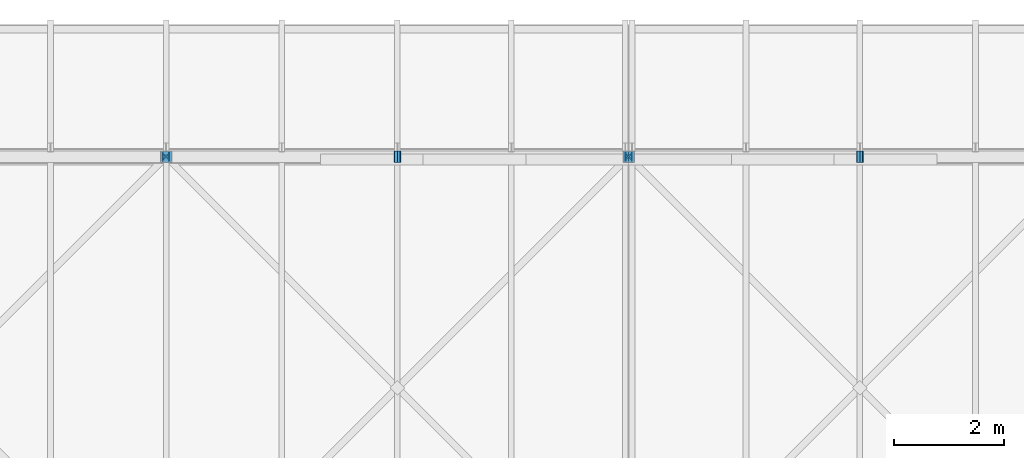
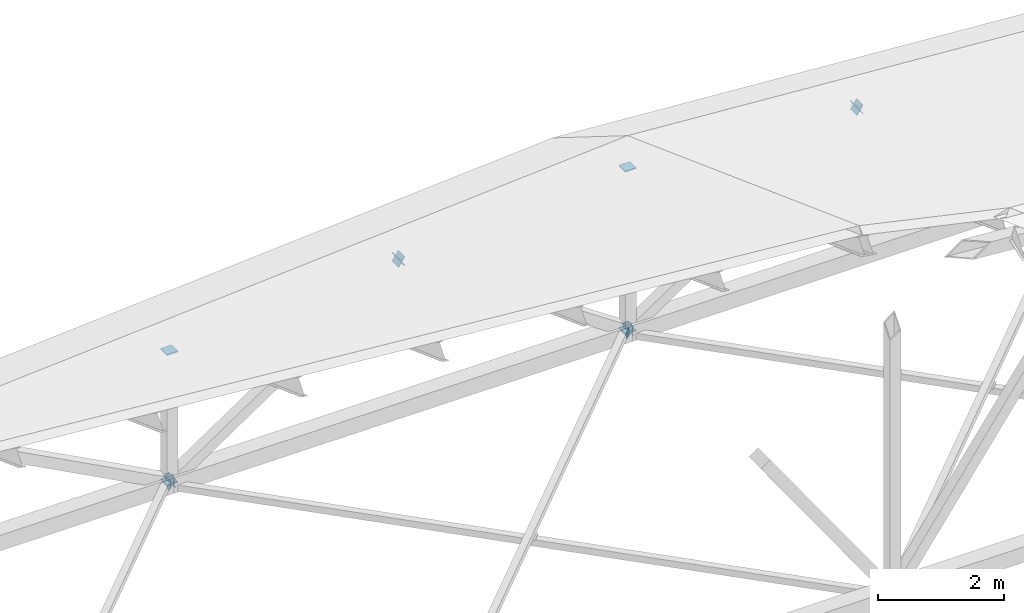
# One storey, part 66 of 76: 16 discrete accessories.
"""IFC4 building model written with IfcOpenShell, lengths in metres."""

import ifcopenshell
import ifcopenshell.guid

model = None  # the IFC model being written
_history = None  # IfcOwnerHistory: only IFC2X3 demands one
_inside = {}  # id of a spatial element -> (the spatial element, [elements in it])
_under = {}  # id of a project, library or spatial element -> (it, [spatial elements below it])
_declared = {}  # id of a project -> (the project, [libraries it declares])
_typed = {}  # id of a type object -> (the type object, [elements of that type])
_made_of = {}  # id of a material, layer set ... -> (it, [elements and type objects made of it])


def new_model(schema):
    """Start an empty IFC model of exactly this schema.

    Asked for "IFC4X3", IfcOpenShell would pick the latest addendum, in which some entities
    have other attributes; the version numbers below select the first issue.
    IFC2X3 requires an IfcOwnerHistory on every rooted entity: one is made here for all.
    """
    global model, _history
    if schema == "IFC4X3":
        model = ifcopenshell.file(schema_version=(4, 3, 0, 0))
    else:
        model = ifcopenshell.file(schema=schema)
    _inside.clear()
    _under.clear()
    _declared.clear()
    _typed.clear()
    _made_of.clear()
    _history = None
    if model.schema == "IFC2X3":
        org = make("IfcOrganization", Name="unknown")
        user = make(
            "IfcPersonAndOrganization",
            ThePerson=make("IfcPerson", FamilyName="unknown"),
            TheOrganization=org,
        )
        app = make(
            "IfcApplication",
            ApplicationDeveloper=org,
            Version="unknown",
            ApplicationFullName="unknown",
            ApplicationIdentifier="unknown",
        )
        _history = make(
            "IfcOwnerHistory",
            OwningUser=user,
            OwningApplication=app,
            ChangeAction="ADDED",
            CreationDate=0,
        )
    return model


def make(cls, **values):
    """One entity of the class cls with the attributes given. An attribute that is None is left unset."""
    return model.create_entity(
        cls, **{name: value for name, value in values.items() if value is not None}
    )


def rooted(cls, **values):
    """An entity with a GlobalId (a new one), such as an element, a storey or a relation."""
    return make(cls, GlobalId=ifcopenshell.guid.new(), OwnerHistory=_history, **values)


def si_unit(unit_type, name, prefix=None):
    """IfcSIUnit, for example si_unit("LENGTHUNIT", "METRE", prefix="MILLI")."""
    return make("IfcSIUnit", UnitType=unit_type, Prefix=prefix, Name=name)


def assignment(units):
    """IfcUnitAssignment: the units of a project."""
    return None if units is None else make("IfcUnitAssignment", Units=units)


def point(xyz):
    """IfcCartesianPoint."""
    return None if xyz is None else make("IfcCartesianPoint", Coordinates=xyz)


def direction(xyz):
    """IfcDirection."""
    return None if xyz is None else make("IfcDirection", DirectionRatios=xyz)


def frame(location, z_axis=None, x_axis=None):
    """IfcAxis2Placement3D, a coordinate frame: its origin and axes. An axis left out is left unset."""
    return make(
        "IfcAxis2Placement3D",
        Location=point(location),
        Axis=direction(z_axis),
        RefDirection=direction(x_axis),
    )


def frame_2d(location, x_axis=None):
    """IfcAxis2Placement2D, a coordinate frame in the plane: its origin and x axis."""
    return make(
        "IfcAxis2Placement2D", Location=point(location), RefDirection=direction(x_axis)
    )


def origin():
    """The frame at (0, 0, 0) with its axes left unset."""
    return frame((0.0, 0.0, 0.0))


def origin_2d():
    """The frame at (0, 0) in the plane with its x axis left unset."""
    return frame_2d((0.0, 0.0))


def place(relative_to, where):
    """IfcLocalPlacement: puts the frame where relative to a parent placement (None: the world)."""
    return make(
        "IfcLocalPlacement", PlacementRelTo=relative_to, RelativePlacement=where
    )


def context(
    kind, dimensions, precision=None, world=None, true_north=None, identifier=None
):
    """IfcGeometricRepresentationContext, for example the 3D "Model" context."""
    return make(
        "IfcGeometricRepresentationContext",
        ContextIdentifier=identifier,
        ContextType=kind,
        CoordinateSpaceDimension=dimensions,
        Precision=precision,
        WorldCoordinateSystem=world,
        TrueNorth=true_north,
    )


def subcontext(parent, identifier, kind, view, scale=None):
    """IfcGeometricRepresentationSubContext, for example "Body" below "Model"."""
    return make(
        "IfcGeometricRepresentationSubContext",
        ContextIdentifier=identifier,
        ContextType=kind,
        ParentContext=parent,
        TargetScale=scale,
        TargetView=view,
    )


def project(units=None, contexts=None):
    """IfcProject with its units and contexts."""
    return rooted(
        "IfcProject",
        Name="project",
        RepresentationContexts=contexts,
        UnitsInContext=assignment(units),
    )


def spatial(cls, under=None, at=None, **own):
    """A site, building, storey or space (cls), placed at a placement, below another one or the project."""
    s = rooted(cls, ObjectPlacement=at, **own)
    if under is not None:
        _under.setdefault(under.id(), (under, []))[1].append(s)
    return s


def profile(cls, at=None, kind="AREA", **sizes):
    """A parametric profile (cls). Its sizes go by their IFC names, for example OverallWidth=200.0."""
    return make(cls, ProfileType=kind, Position=at, **sizes)


def rectangle(**sizes):
    """IfcRectangleProfileDef."""
    return profile("IfcRectangleProfileDef", **sizes)


def extrude(swept, where, along, depth):
    """IfcExtrudedAreaSolid: the profile swept, set in the frame where, extruded along a direction by depth."""
    return make(
        "IfcExtrudedAreaSolid",
        SweptArea=swept,
        Position=where,
        ExtrudedDirection=direction(along),
        Depth=depth,
    )


def shape(context_of_items, identifier, shape_type, items):
    """IfcShapeRepresentation: the items that make up one representation, for example the "Body"."""
    return make(
        "IfcShapeRepresentation",
        ContextOfItems=context_of_items,
        RepresentationIdentifier=identifier,
        RepresentationType=shape_type,
        Items=items,
    )


def material(Name=None, Category=None):
    """IfcMaterial."""
    return make("IfcMaterial", Name=Name, Category=Category)


def made_of(thing, what):
    """Note that an element or type object is made of a material, layer set ...; save() writes the relation."""
    if what is not None:
        _made_of.setdefault(what.id(), (what, []))[1].append(thing)
    return thing


def element(
    cls,
    number,
    at=None,
    inside=None,
    cuts=None,
    type_object=None,
    material=None,
    context=None,
    identifier="Body",
    shape_type=None,
    held_by="IfcProductDefinitionShape",
    body=None,
    shapes=None,
    **own,
):
    """One element of the class cls, such as IfcWall. Its Tag is "e" and its number.

    at: its placement. inside: the storey or other place that contains it. cuts: it is an
    opening in that element (IfcRelVoidsElement). A single representation is given by context,
    identifier, shape_type and body (its items); several are given by shapes. held_by: the class
    of the entity that holds the representations. save() writes the other relations.
    """
    e = rooted(cls, Tag="e%d" % number, ObjectPlacement=at, **own)
    if body is not None:
        shapes = [shape(context, identifier, shape_type, body)]
    if shapes is not None:
        e.Representation = make(held_by, Representations=shapes)
    if inside is not None:
        _inside.setdefault(inside.id(), (inside, []))[1].append(e)
    if cuts is not None:
        rooted(
            "IfcRelVoidsElement", RelatingBuildingElement=cuts, RelatedOpeningElement=e
        )
    if type_object is not None:
        _typed.setdefault(type_object.id(), (type_object, []))[1].append(e)
    return made_of(e, material)


def aggregate(whole, parts):
    """IfcRelAggregates: a whole, such as a stair, and the parts it consists of."""
    return rooted("IfcRelAggregates", RelatingObject=whole, RelatedObjects=parts)


def save(model, path):
    """Write the relations noted so far, then the file.

    IfcRelAggregates (storeys below a building ...), IfcRelContainedInSpatialStructure (elements
    in a storey), IfcRelDefinesByType, IfcRelAssociatesMaterial and IfcRelDeclares: one each for
    every whole, place, type object, material and project.
    """
    for whole, parts in _under.values():
        aggregate(whole, parts)
    for where, things in _inside.values():
        rooted(
            "IfcRelContainedInSpatialStructure",
            RelatedElements=things,
            RelatingStructure=where,
        )
    for kind, things in _typed.values():
        rooted("IfcRelDefinesByType", RelatedObjects=things, RelatingType=kind)
    for what, things in _made_of.values():
        rooted("IfcRelAssociatesMaterial", RelatedObjects=things, RelatingMaterial=what)
    for by, libraries in _declared.values():
        rooted("IfcRelDeclares", RelatingContext=by, RelatedDefinitions=libraries)
    model.write(path)


model = new_model("IFC4")

# Units and contexts
model_context = context("Model", 3, precision=1e-05, world=origin(), true_north=direction((0.0, 1.0)))
body_context = subcontext(model_context, "Body", "Model", "MODEL_VIEW")
ifc_project = project(units=[si_unit("LENGTHUNIT", "METRE"), si_unit("AREAUNIT", "SQUARE_METRE"), si_unit("VOLUMEUNIT", "CUBIC_METRE"), si_unit("PLANEANGLEUNIT", "RADIAN"), si_unit("MASSUNIT", "GRAM", prefix="KILO")], contexts=[model_context])

# Site, building, storey
site_placement = place(None, origin())
site = spatial("IfcSite", under=ifc_project, at=site_placement, CompositionType="ELEMENT")
building_placement = place(site_placement, origin())
building = spatial("IfcBuilding", under=site, at=building_placement, Name="Hlaing Beacon Police Headquarters", CompositionType="ELEMENT")
storey_placement = place(building_placement, frame((0.0, 0.0, 18.89990234375)))
storey = spatial("IfcBuildingStorey", under=building, at=storey_placement, Name="L04", CompositionType="ELEMENT", Elevation=18.89990234375)

# Discrete accessories
ifc_material = material(Name="Steel ASTM A572 Grade 50", Category="steel")
for number, where, z_axis, x_axis, name in (
    (1, (42.0, 92.39990234375, -2.53759765625), (0.0, 0.0, -1.0), (1.0, 0.0, 0.0), "Gusset plate GP-469"),
    (2, (42.0, 92.39990234375, -0.025634765625), (0.0, 0.0, 1.0), (1.0, 0.0, 0.0), "Gusset plate GP-470"),
    (3, (50.39990234375, 92.39990234375, -2.53759765625), (0.0, 0.0, -1.0), (1.0, 0.0, 0.0), "Gusset plate GP-471"),
    (4, (50.39990234375, 92.39990234375, 0.586181640625), (0.0, 0.0, 1.0), (1.0, 0.0, 0.0), "Gusset plate GP-472"),
):
    element("IfcDiscreteAccessory", number, at=place(storey_placement, frame(where, z_axis=z_axis, x_axis=x_axis)), inside=storey, material=ifc_material, Name=name, PredefinedType="BRACKET", context=body_context, shape_type="SweptSolid", body=[
        extrude(rectangle(XDim=0.203125, YDim=0.203125, at=origin_2d()), origin(), (0.0, 0.0, 1.0), 0.02001953125),
    ])
for number, where, z_axis, x_axis, name in (
    (5, (41.992919921875, 92.39990234375, -2.5439453125), (0.883053903014, 0.0, -0.469271567828), (0.0, 1.0, 0.0), "Gusset plate GP-480"),
    (6, (42.006591796875, 92.39990234375, -2.543212890625), (-0.829139670788, 0.0, -0.5590415068), (0.0, -1.0, 0.0), "Gusset plate GP-481"),
    (7, (46.193359375, 92.39990234375, 0.27978515625), (0.829139670788, 0.0, 0.5590415068), (0.0, 1.0, 0.0), "Gusset plate GP-482"),
    (8, (46.20654296875, 92.39990234375, 0.27978515625), (-0.829139670788, 0.0, 0.5590415068), (0.0, -1.0, 0.0), "Gusset plate GP-483"),
    (9, (50.393310546875, 92.39990234375, -2.543212890625), (0.829139670788, 0.0, -0.5590415068), (0.0, 1.0, 0.0), "Gusset plate GP-484"),
    (10, (50.406494140625, 92.39990234375, -2.543212890625), (-0.82915473289, 0.0, -0.559019166868), (0.0, -1.0, 0.0), "Gusset plate GP-485"),
    (11, (54.593505859375, 92.39990234375, 0.27978515625), (0.82915473289, 0.0, 0.559019166868), (0.0, 1.0, 0.0), "Gusset plate GP-486"),
    (12, (54.606689453125, 92.39990234375, 0.27978515625), (-0.829139670788, 0.0, 0.5590415068), (0.0, -1.0, 0.0), "Gusset plate GP-487"),
):
    element("IfcDiscreteAccessory", number, at=place(storey_placement, frame(where, z_axis=z_axis, x_axis=x_axis)), inside=storey, material=ifc_material, Name=name, PredefinedType="BRACKET", context=body_context, shape_type="SweptSolid", body=[
        extrude(rectangle(XDim=0.203125, YDim=0.203125, at=origin_2d()), origin(), (0.0, 0.0, 1.0), 0.01611328125),
    ])
for number, where, z_axis, x_axis, name in (
    (13, (41.99560546875, 92.3955078125, -2.47412109375), (0.707106781187, 0.707106781187, 0.0), (-0.707106781187, 0.707106781187, 0.0), "Gusset plate GP-510"),
    (14, (50.3955078125, 92.3955078125, -2.47412109375), (0.707106781187, 0.707106781187, 0.0), (-0.707106781187, 0.707106781187, 0.0), "Gusset plate GP-512"),
    (15, (42.004150390625, 92.395751953125, -2.62109375), (-0.707106781187, 0.707106781187, 0.0), (-0.707106781187, -0.707106781187, 0.0), "Gusset plate GP-513"),
    (16, (50.404052734375, 92.395751953125, -2.62109375), (-0.707117056885, 0.707096505339, 0.0), (-0.707096505339, -0.707117056885, 0.0), "Gusset plate GP-515"),
):
    element("IfcDiscreteAccessory", number, at=place(storey_placement, frame(where, z_axis=z_axis, x_axis=x_axis)), inside=storey, material=ifc_material, Name=name, PredefinedType="BRACKET", context=body_context, shape_type="SweptSolid", body=[
        extrude(rectangle(XDim=0.126953125, YDim=0.126953125, at=origin_2d()), origin(), (0.0, 0.0, 1.0), 0.011962890625),
    ])

save(model, "model.ifc")
